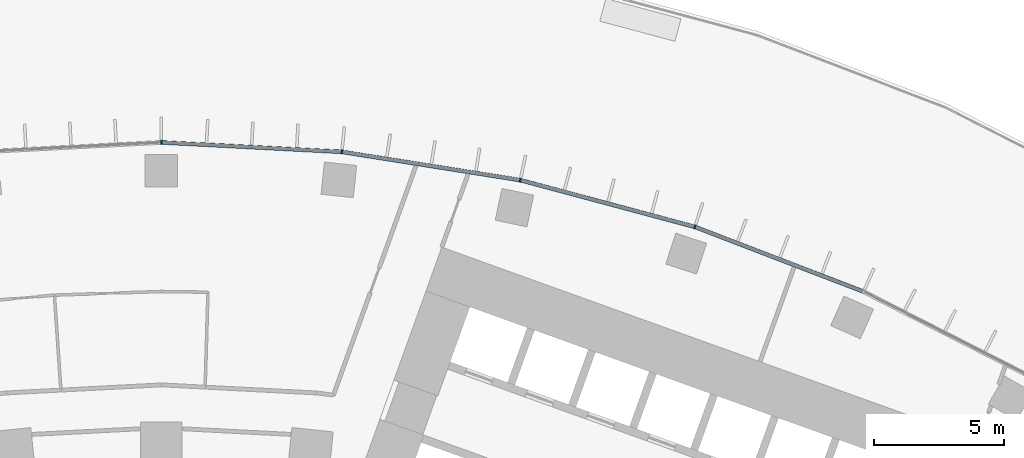
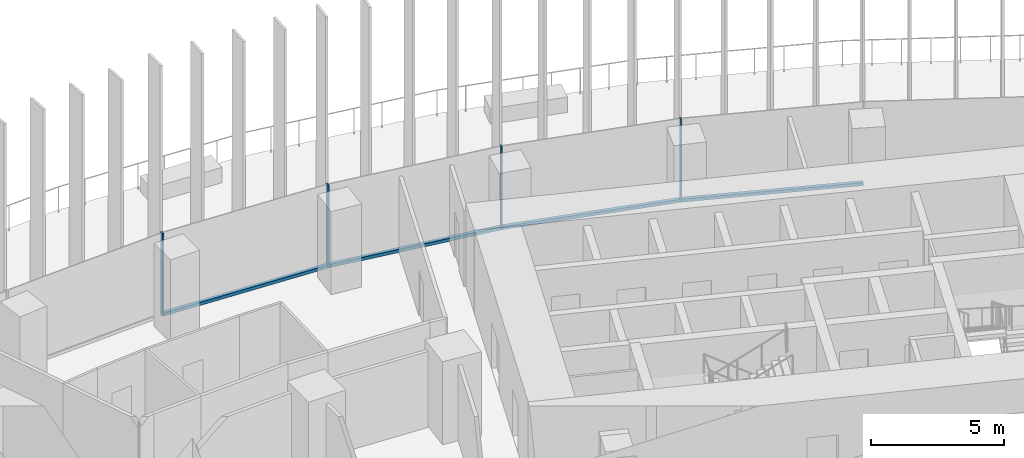
# One storey, part 10 of 24: 8 members, 1 element without a shape of its own.
"""IFC4 building model written with IfcOpenShell, lengths in metres."""

import ifcopenshell
import ifcopenshell.guid

model = None  # the IFC model being written
_history = None  # IfcOwnerHistory: only IFC2X3 demands one
_inside = {}  # id of a spatial element -> (the spatial element, [elements in it])
_under = {}  # id of a project, library or spatial element -> (it, [spatial elements below it])
_declared = {}  # id of a project -> (the project, [libraries it declares])
_typed = {}  # id of a type object -> (the type object, [elements of that type])
_made_of = {}  # id of a material, layer set ... -> (it, [elements and type objects made of it])


def new_model(schema):
    """Start an empty IFC model of exactly this schema.

    Asked for "IFC4X3", IfcOpenShell would pick the latest addendum, in which some entities
    have other attributes; the version numbers below select the first issue.
    IFC2X3 requires an IfcOwnerHistory on every rooted entity: one is made here for all.
    """
    global model, _history
    if schema == "IFC4X3":
        model = ifcopenshell.file(schema_version=(4, 3, 0, 0))
    else:
        model = ifcopenshell.file(schema=schema)
    _inside.clear()
    _under.clear()
    _declared.clear()
    _typed.clear()
    _made_of.clear()
    _history = None
    if model.schema == "IFC2X3":
        org = make("IfcOrganization", Name="unknown")
        user = make(
            "IfcPersonAndOrganization",
            ThePerson=make("IfcPerson", FamilyName="unknown"),
            TheOrganization=org,
        )
        app = make(
            "IfcApplication",
            ApplicationDeveloper=org,
            Version="unknown",
            ApplicationFullName="unknown",
            ApplicationIdentifier="unknown",
        )
        _history = make(
            "IfcOwnerHistory",
            OwningUser=user,
            OwningApplication=app,
            ChangeAction="ADDED",
            CreationDate=0,
        )
    return model


def make(cls, **values):
    """One entity of the class cls with the attributes given. An attribute that is None is left unset."""
    return model.create_entity(
        cls, **{name: value for name, value in values.items() if value is not None}
    )


def rooted(cls, **values):
    """An entity with a GlobalId (a new one), such as an element, a storey or a relation."""
    return make(cls, GlobalId=ifcopenshell.guid.new(), OwnerHistory=_history, **values)


def si_unit(unit_type, name, prefix=None):
    """IfcSIUnit, for example si_unit("LENGTHUNIT", "METRE", prefix="MILLI")."""
    return make("IfcSIUnit", UnitType=unit_type, Prefix=prefix, Name=name)


def assignment(units):
    """IfcUnitAssignment: the units of a project."""
    return None if units is None else make("IfcUnitAssignment", Units=units)


def point(xyz):
    """IfcCartesianPoint."""
    return None if xyz is None else make("IfcCartesianPoint", Coordinates=xyz)


def direction(xyz):
    """IfcDirection."""
    return None if xyz is None else make("IfcDirection", DirectionRatios=xyz)


def frame(location, z_axis=None, x_axis=None):
    """IfcAxis2Placement3D, a coordinate frame: its origin and axes. An axis left out is left unset."""
    return make(
        "IfcAxis2Placement3D",
        Location=point(location),
        Axis=direction(z_axis),
        RefDirection=direction(x_axis),
    )


def frame_2d(location, x_axis=None):
    """IfcAxis2Placement2D, a coordinate frame in the plane: its origin and x axis."""
    return make(
        "IfcAxis2Placement2D", Location=point(location), RefDirection=direction(x_axis)
    )


def origin():
    """The frame at (0, 0, 0) with its axes left unset."""
    return frame((0.0, 0.0, 0.0))


def origin_2d():
    """The frame at (0, 0) in the plane with its x axis left unset."""
    return frame_2d((0.0, 0.0))


def place(relative_to, where):
    """IfcLocalPlacement: puts the frame where relative to a parent placement (None: the world)."""
    return make(
        "IfcLocalPlacement", PlacementRelTo=relative_to, RelativePlacement=where
    )


def context(
    kind, dimensions, precision=None, world=None, true_north=None, identifier=None
):
    """IfcGeometricRepresentationContext, for example the 3D "Model" context."""
    return make(
        "IfcGeometricRepresentationContext",
        ContextIdentifier=identifier,
        ContextType=kind,
        CoordinateSpaceDimension=dimensions,
        Precision=precision,
        WorldCoordinateSystem=world,
        TrueNorth=true_north,
    )


def subcontext(parent, identifier, kind, view, scale=None):
    """IfcGeometricRepresentationSubContext, for example "Body" below "Model"."""
    return make(
        "IfcGeometricRepresentationSubContext",
        ContextIdentifier=identifier,
        ContextType=kind,
        ParentContext=parent,
        TargetScale=scale,
        TargetView=view,
    )


def project(units=None, contexts=None):
    """IfcProject with its units and contexts."""
    return rooted(
        "IfcProject",
        Name="project",
        RepresentationContexts=contexts,
        UnitsInContext=assignment(units),
    )


def spatial(cls, under=None, at=None, **own):
    """A site, building, storey or space (cls), placed at a placement, below another one or the project."""
    s = rooted(cls, ObjectPlacement=at, **own)
    if under is not None:
        _under.setdefault(under.id(), (under, []))[1].append(s)
    return s


def profile(cls, at=None, kind="AREA", **sizes):
    """A parametric profile (cls). Its sizes go by their IFC names, for example OverallWidth=200.0."""
    return make(cls, ProfileType=kind, Position=at, **sizes)


def rectangle(**sizes):
    """IfcRectangleProfileDef."""
    return profile("IfcRectangleProfileDef", **sizes)


def extrude(swept, where, along, depth):
    """IfcExtrudedAreaSolid: the profile swept, set in the frame where, extruded along a direction by depth."""
    return make(
        "IfcExtrudedAreaSolid",
        SweptArea=swept,
        Position=where,
        ExtrudedDirection=direction(along),
        Depth=depth,
    )


def shape(context_of_items, identifier, shape_type, items):
    """IfcShapeRepresentation: the items that make up one representation, for example the "Body"."""
    return make(
        "IfcShapeRepresentation",
        ContextOfItems=context_of_items,
        RepresentationIdentifier=identifier,
        RepresentationType=shape_type,
        Items=items,
    )


def material(Name=None, Category=None):
    """IfcMaterial."""
    return make("IfcMaterial", Name=Name, Category=Category)


def layer(
    of_material, thickness, ventilated=None, Name=None, Category=None, Priority=None
):
    """IfcMaterialLayer: one layer of a wall or slab, of a material (None: an air gap)."""
    return make(
        "IfcMaterialLayer",
        Material=of_material,
        LayerThickness=thickness,
        IsVentilated=ventilated,
        Name=Name,
        Category=Category,
        Priority=Priority,
    )


def layer_set(layers, Name=None):
    """IfcMaterialLayerSet."""
    return make("IfcMaterialLayerSet", MaterialLayers=layers, LayerSetName=Name)


def material_profile(
    of_material, cross_section, Name=None, Category=None, Priority=None
):
    """IfcMaterialProfile: a cross section and its material."""
    return make(
        "IfcMaterialProfile",
        Name=Name,
        Material=of_material,
        Profile=cross_section,
        Priority=Priority,
        Category=Category,
    )


def profile_set(profiles, Name=None, composite=None):
    """IfcMaterialProfileSet."""
    return make(
        "IfcMaterialProfileSet",
        Name=Name,
        MaterialProfiles=profiles,
        CompositeProfile=composite,
    )


def made_of(thing, what):
    """Note that an element or type object is made of a material, layer set ...; save() writes the relation."""
    if what is not None:
        _made_of.setdefault(what.id(), (what, []))[1].append(thing)
    return thing


def type_object(cls, material=None, **own):
    """A type object (cls), such as IfcWallType, which elements share."""
    return made_of(rooted(cls, **own), material)


def element(
    cls,
    number,
    at=None,
    inside=None,
    cuts=None,
    type_object=None,
    material=None,
    context=None,
    identifier="Body",
    shape_type=None,
    held_by="IfcProductDefinitionShape",
    body=None,
    shapes=None,
    **own,
):
    """One element of the class cls, such as IfcWall. Its Tag is "e" and its number.

    at: its placement. inside: the storey or other place that contains it. cuts: it is an
    opening in that element (IfcRelVoidsElement). A single representation is given by context,
    identifier, shape_type and body (its items); several are given by shapes. held_by: the class
    of the entity that holds the representations. save() writes the other relations.
    """
    e = rooted(cls, Tag="e%d" % number, ObjectPlacement=at, **own)
    if body is not None:
        shapes = [shape(context, identifier, shape_type, body)]
    if shapes is not None:
        e.Representation = make(held_by, Representations=shapes)
    if inside is not None:
        _inside.setdefault(inside.id(), (inside, []))[1].append(e)
    if cuts is not None:
        rooted(
            "IfcRelVoidsElement", RelatingBuildingElement=cuts, RelatedOpeningElement=e
        )
    if type_object is not None:
        _typed.setdefault(type_object.id(), (type_object, []))[1].append(e)
    return made_of(e, material)


def aggregate(whole, parts):
    """IfcRelAggregates: a whole, such as a stair, and the parts it consists of."""
    return rooted("IfcRelAggregates", RelatingObject=whole, RelatedObjects=parts)


def save(model, path):
    """Write the relations noted so far, then the file.

    IfcRelAggregates (storeys below a building ...), IfcRelContainedInSpatialStructure (elements
    in a storey), IfcRelDefinesByType, IfcRelAssociatesMaterial and IfcRelDeclares: one each for
    every whole, place, type object, material and project.
    """
    for whole, parts in _under.values():
        aggregate(whole, parts)
    for where, things in _inside.values():
        rooted(
            "IfcRelContainedInSpatialStructure",
            RelatedElements=things,
            RelatingStructure=where,
        )
    for kind, things in _typed.values():
        rooted("IfcRelDefinesByType", RelatedObjects=things, RelatingType=kind)
    for what, things in _made_of.values():
        rooted("IfcRelAssociatesMaterial", RelatedObjects=things, RelatingMaterial=what)
    for by, libraries in _declared.values():
        rooted("IfcRelDeclares", RelatingContext=by, RelatedDefinitions=libraries)
    model.write(path)


model = new_model("IFC4")

# Units and contexts
model_context = context("Model", 3, precision=1e-05, world=origin(), true_north=direction((0.0, 1.0)))
body_context = subcontext(model_context, "Body", "Model", "MODEL_VIEW")
ifc_project = project(units=[si_unit("LENGTHUNIT", "METRE"), si_unit("AREAUNIT", "SQUARE_METRE"), si_unit("VOLUMEUNIT", "CUBIC_METRE"), si_unit("PLANEANGLEUNIT", "RADIAN"), si_unit("MASSUNIT", "GRAM", prefix="KILO")], contexts=[model_context])

# Site, building, storey
site_placement = place(None, origin())
site = spatial("IfcSite", under=ifc_project, at=site_placement, CompositionType="ELEMENT")
building_placement = place(site_placement, origin())
building = spatial("IfcBuilding", under=site, at=building_placement, Name="Stone Belt Terrace Tower", CompositionType="ELEMENT")
storey_placement = place(building_placement, frame((0.0, 0.0, 30.0)))
storey = spatial("IfcBuildingStorey", under=building, at=storey_placement, Name="L06", CompositionType="ELEMENT", Elevation=30.0)

# Curtain wall, members
ifc_material = material(Name="Aluminium 6063-T6 anodised frame", Category="aluminium")
ifc_layer = layer(ifc_material, 0.14990234375)
ifc_layer_set = layer_set([ifc_layer], Name="CW-A unitised convex-face curtain wall")
curtain_wall_type = type_object("IfcCurtainWallType", Name="CW-A unitised convex-face curtain wall", PredefinedType="NOTDEFINED", material=ifc_layer_set)
curtain_wall_placement = place(storey_placement, origin())
curtain_wall = element("IfcCurtainWall", 1, at=curtain_wall_placement, inside=storey, type_object=curtain_wall_type, Name="CW-A convex face L06", PredefinedType="NOTDEFINED")
ifc_material_profile_1 = material_profile(ifc_material, rectangle(XDim=0.14990234375, YDim=0.06005859375, at=origin_2d()), Name="Aluminium 6063-T6 60x150")
ifc_profile_set_1 = profile_set([ifc_material_profile_1], Name="Aluminium 6063-T6 anodised frame")
member_type_1 = type_object("IfcMemberType", Name="CW-A mullion 60 x 150", PredefinedType="MULLION", material=ifc_profile_set_1)
member_1_placement = place(storey_placement, frame((20.57275390625, 63.316650390625, 0.0), z_axis=(0.0, 0.0, 1.0), x_axis=(-0.309016994375, -0.951056516295, 0.0)))
member_1 = element("IfcMember", 2, at=member_1_placement, type_object=member_type_1, Name="CW-A mullion 7", PredefinedType="MULLION", context=body_context, shape_type="SweptSolid", body=[
    extrude(rectangle(XDim=0.14990234375, YDim=0.06005859375, at=origin_2d()), origin(), (0.0, 0.0, 1.0), 3.800048828125),
])
member_2_placement = place(storey_placement, frame((13.841796875, 65.120361328125, 0.0), z_axis=(0.0, 0.0, 1.0), x_axis=(-0.207911690818, -0.978147600734, 0.0)))
member_2 = element("IfcMember", 3, at=member_2_placement, type_object=member_type_1, Name="CW-A mullion 8", PredefinedType="MULLION", context=body_context, shape_type="SweptSolid", body=[
    extrude(rectangle(XDim=0.14990234375, YDim=0.06005859375, at=origin_2d()), origin(), (0.0, 0.0, 1.0), 3.800048828125),
])
member_3_placement = place(storey_placement, frame((6.958984375, 66.21044921875, 0.0), z_axis=(0.0, 0.0, 1.0), x_axis=(-0.104528463268, -0.994521895368, 0.0)))
member_3 = element("IfcMember", 4, at=member_3_placement, type_object=member_type_1, Name="CW-A mullion 9", PredefinedType="MULLION", context=body_context, shape_type="SweptSolid", body=[
    extrude(rectangle(XDim=0.14990234375, YDim=0.06005859375, at=origin_2d()), origin(), (0.0, 0.0, 1.0), 3.800048828125),
])
member_4_placement = place(storey_placement, frame((0.0, 66.5751953125, 0.0), z_axis=(0.0, 0.0, 1.0), x_axis=(0.0, -1.0, 0.0)))
member_4 = element("IfcMember", 5, at=member_4_placement, type_object=member_type_1, Name="CW-A mullion 10", PredefinedType="MULLION", context=body_context, shape_type="SweptSolid", body=[
    extrude(rectangle(XDim=0.14990234375, YDim=0.06005859375, at=origin_2d()), origin(), (0.0, 0.0, 1.0), 3.800048828125),
])
ifc_material_profile_2 = material_profile(ifc_material, rectangle(XDim=0.14990234375, YDim=0.139892578125, at=origin_2d()), Name="Aluminium 6063-T6 150x140")
ifc_profile_set_2 = profile_set([ifc_material_profile_2], Name="Aluminium 6063-T6 anodised frame")
member_type_2 = type_object("IfcMemberType", Name="CW-A transom 140 x 150", PredefinedType="USERDEFINED", material=ifc_profile_set_2)
member_5_placement = place(storey_placement, frame((27.046875, 60.83154296875, 0.070068359375), z_axis=(-0.933585210269, 0.358355487146, 0.0), x_axis=(-0.358355487146, -0.933585210269, 0.0)))
member_5 = element("IfcMember", 6, at=member_5_placement, type_object=member_type_2, Name="CW-A transom 6.1", ObjectType="TRANSOM", PredefinedType="USERDEFINED", context=body_context, shape_type="SweptSolid", body=[
    extrude(rectangle(XDim=0.14990234375, YDim=0.139892578125, at=origin_2d()), origin(), (0.0, 0.0, 1.0), 6.900634765625),
])
member_6_placement = place(storey_placement, frame((20.5400390625, 63.325439453125, 0.070068359375), z_axis=(-0.965921835863, 0.258833937117, 0.0), x_axis=(-0.258833937117, -0.965921835863, 0.0)))
member_6 = element("IfcMember", 7, at=member_6_placement, type_object=member_type_2, Name="CW-A transom 7.1", ObjectType="TRANSOM", PredefinedType="USERDEFINED", context=body_context, shape_type="SweptSolid", body=[
    extrude(rectangle(XDim=0.14990234375, YDim=0.139892578125, at=origin_2d()), origin(), (0.0, 0.0, 1.0), 6.900634765625),
])
member_7_placement = place(storey_placement, frame((13.808349609375, 65.12548828125, 0.070068359375), z_axis=(-0.987687120531, 0.156442168027, 0.0), x_axis=(-0.156442168027, -0.987687120531, 0.0)))
member_7 = element("IfcMember", 8, at=member_7_placement, type_object=member_type_2, Name="CW-A transom 8.1", ObjectType="TRANSOM", PredefinedType="USERDEFINED", context=body_context, shape_type="SweptSolid", body=[
    extrude(rectangle(XDim=0.14990234375, YDim=0.139892578125, at=origin_2d()), origin(), (0.0, 0.0, 1.0), 6.90087890625),
])
member_8_placement = place(storey_placement, frame((6.925048828125, 66.212158203125, 0.070068359375), z_axis=(-0.998630019135, 0.052326712899, 0.0), x_axis=(-0.052326712899, -0.998630019135, 0.0)))
member_8 = element("IfcMember", 9, at=member_8_placement, type_object=member_type_2, Name="CW-A transom 9.1", ObjectType="TRANSOM", PredefinedType="USERDEFINED", context=body_context, shape_type="SweptSolid", body=[
    extrude(rectangle(XDim=0.14990234375, YDim=0.139892578125, at=origin_2d()), origin(), (0.0, 0.0, 1.0), 6.900634765625),
])
aggregate(curtain_wall, [member_1, member_2, member_3, member_4, member_5, member_6, member_7, member_8])

save(model, "model.ifc")
